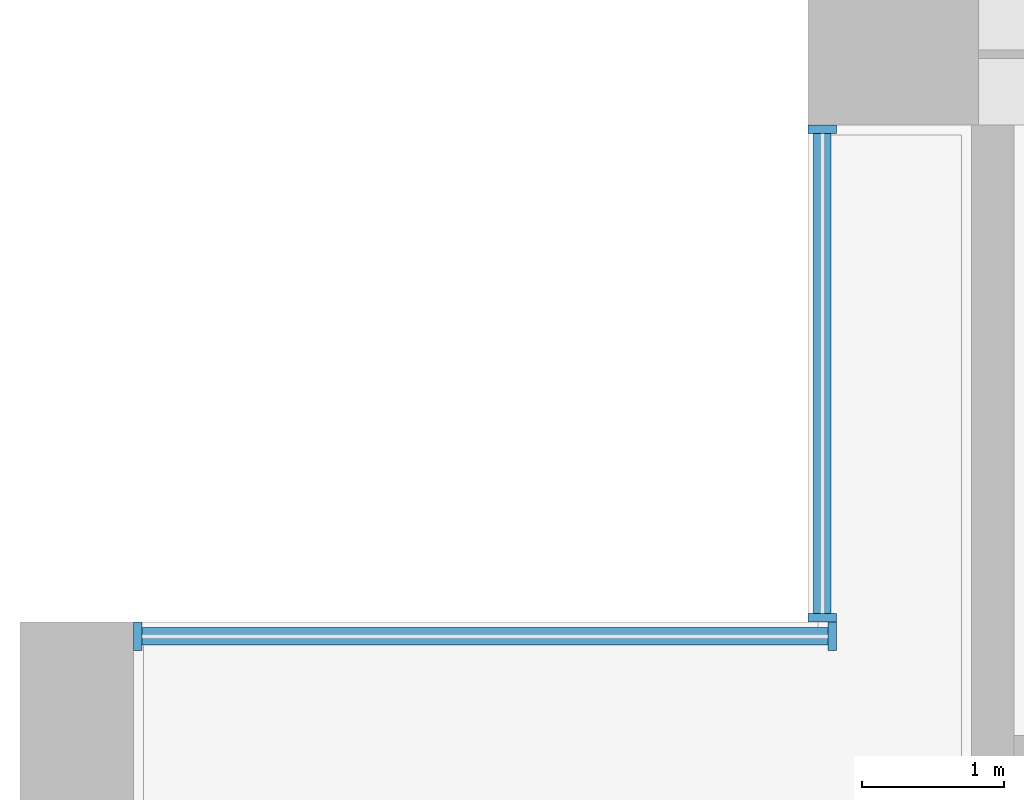
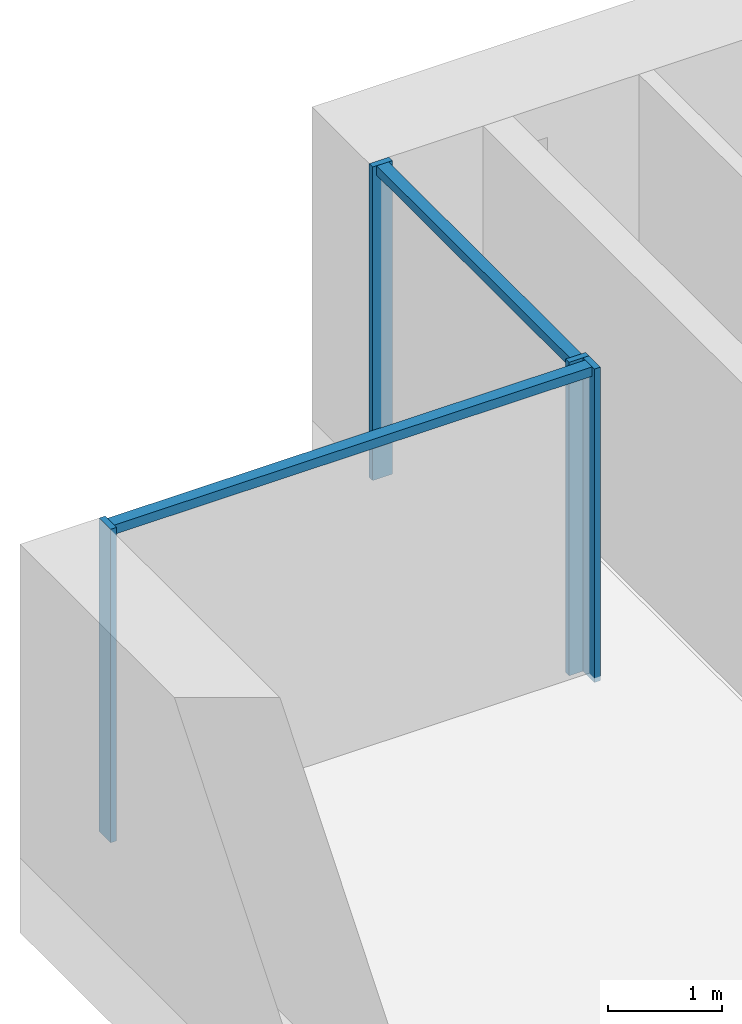
# One storey, part 4 of 18: 6 members, 2 elements without a shape of their own.
"""IFC4 building model written with IfcOpenShell, lengths in metres."""

from ifc_helpers import new_model, si_unit, direction, frame, origin, origin_2d, place, context, subcontext, project, spatial, rectangle, extrude, material, material_profile, profile_set, type_object, element, aggregate, save


model = new_model("IFC4")

# Units and contexts
model_context = context("Model", 3, precision=1e-05, world=origin(), true_north=direction((0.0, 1.0)))
body_context = subcontext(model_context, "Body", "Model", "MODEL_VIEW")
ifc_project = project(units=[si_unit("LENGTHUNIT", "METRE"), si_unit("AREAUNIT", "SQUARE_METRE"), si_unit("VOLUMEUNIT", "CUBIC_METRE"), si_unit("PLANEANGLEUNIT", "RADIAN"), si_unit("MASSUNIT", "GRAM", prefix="KILO")], contexts=[model_context])

# Site, building, storey
site_placement = place(None, origin())
site = spatial("IfcSite", under=ifc_project, at=site_placement, CompositionType="ELEMENT")
building_placement = place(site_placement, origin())
building = spatial("IfcBuilding", under=site, at=building_placement, Name="Calvaro Tower", CompositionType="ELEMENT")
storey_placement = place(building_placement, frame((0.0, 0.0, 22.5)))
storey = spatial("IfcBuildingStorey", under=building, at=storey_placement, Name="L04", CompositionType="ELEMENT", Elevation=22.5)

# Curtain wall, members
ifc_material_1 = material(Name="Anodised aluminium", Category="aluminium")
curtain_wall_type = type_object("IfcCurtainWallType", Name="Office curtain wall, lower zone", PredefinedType="NOTDEFINED", material=ifc_material_1)
curtain_wall_1_placement = place(storey_placement, origin())
curtain_wall_1 = element("IfcCurtainWall", 1, at=curtain_wall_1_placement, inside=storey, type_object=curtain_wall_type, Name="CW1 corner curtain wall", PredefinedType="NOTDEFINED")
ifc_material_2 = material(Name="Anodised aluminium", Category="aluminium")
ifc_material_profile_1 = material_profile(ifc_material_2, rectangle(XDim=0.199951171875, YDim=0.06005859375, at=origin_2d()), Name="Mullion S1 60 x 200")
ifc_profile_set_1 = profile_set([ifc_material_profile_1], Name="Anodised aluminium")
member_type_1 = type_object("IfcMemberType", Name="Mullion S1 60 x 200", PredefinedType="MULLION", material=ifc_profile_set_1)
member_1_placement = place(storey_placement, frame((5.64990234375, 41.530029296875, 0.0), z_axis=(0.0, 0.0, 1.0), x_axis=(-1.0, 0.0, 0.0)))
member_1 = element("IfcMember", 2, at=member_1_placement, type_object=member_type_1, Name="CW1 mullion 1", PredefinedType="MULLION", context=body_context, shape_type="SweptSolid", body=[
    extrude(rectangle(XDim=0.199951171875, YDim=0.06005859375, at=origin_2d()), origin(), (0.0, 0.0, 1.0), 3.35009765625),
])
member_2_placement = place(storey_placement, frame((5.64990234375, 44.969970703125, 0.0), z_axis=(0.0, 0.0, 1.0), x_axis=(-1.0, 0.0, 0.0)))
member_2 = element("IfcMember", 3, at=member_2_placement, type_object=member_type_1, Name="CW1 mullion 2", PredefinedType="MULLION", context=body_context, shape_type="SweptSolid", body=[
    extrude(rectangle(XDim=0.199951171875, YDim=0.06005859375, at=origin_2d()), origin(), (0.0, 0.0, 1.0), 3.35009765625),
])

curtain_wall_2_placement = place(storey_placement, origin())
curtain_wall_2 = element("IfcCurtainWall", 4, at=curtain_wall_2_placement, inside=storey, type_object=curtain_wall_type, Name="CW1 corner curtain wall", PredefinedType="NOTDEFINED")
member_3_placement = place(storey_placement, frame((0.830078125, 41.39990234375, 0.0), z_axis=(0.0, 0.0, 1.0), x_axis=(0.0, 1.0, 0.0)))
member_3 = element("IfcMember", 5, at=member_3_placement, type_object=member_type_1, Name="CW1 mullion 1", PredefinedType="MULLION", context=body_context, shape_type="SweptSolid", body=[
    extrude(rectangle(XDim=0.199951171875, YDim=0.06005859375, at=origin_2d()), origin(), (0.0, 0.0, 1.0), 3.35009765625),
])
member_4_placement = place(storey_placement, frame((5.719970703125, 41.39990234375, 0.0), z_axis=(0.0, 0.0, 1.0), x_axis=(0.0, 1.0, 0.0)))
member_4 = element("IfcMember", 6, at=member_4_placement, type_object=member_type_1, Name="CW1 mullion 2", PredefinedType="MULLION", context=body_context, shape_type="SweptSolid", body=[
    extrude(rectangle(XDim=0.199951171875, YDim=0.06005859375, at=origin_2d()), origin(), (0.0, 0.0, 1.0), 3.35009765625),
])

# Member
ifc_material_3 = material(Name="Anodised aluminium", Category="aluminium")
ifc_material_profile_2 = material_profile(ifc_material_3, rectangle(XDim=0.1201171875, YDim=0.10009765625, at=origin_2d()), Name="Transom S1 100 x 120")
ifc_profile_set_2 = profile_set([ifc_material_profile_2], Name="Anodised aluminium")
member_type_2 = type_object("IfcMemberType", Name="Transom S1 100 x 120", PredefinedType="USERDEFINED", material=ifc_profile_set_2)
member_5_placement = place(storey_placement, frame((5.64990234375, 41.56005859375, 3.300048828125), z_axis=(0.0, 1.0, 0.0), x_axis=(-1.0, 0.0, 0.0)))
member_5 = element("IfcMember", 7, at=member_5_placement, type_object=member_type_2, Name="CW1 transom 1.1", ObjectType="TRANSOM", PredefinedType="USERDEFINED", context=body_context, shape_type="SweptSolid", body=[
    extrude(rectangle(XDim=0.1201171875, YDim=0.10009765625, at=origin_2d()), origin(), (0.0, 0.0, 1.0), 3.3798828125),
])

aggregate(curtain_wall_1, [member_1, member_2, member_5])

member_6_placement = place(storey_placement, frame((0.860107421875, 41.39990234375, 3.300048828125), z_axis=(1.0, 0.0, 0.0), x_axis=(0.0, 1.0, 0.0)))
member_6 = element("IfcMember", 8, at=member_6_placement, type_object=member_type_2, Name="CW1 transom 1.1", ObjectType="TRANSOM", PredefinedType="USERDEFINED", context=body_context, shape_type="SweptSolid", body=[
    extrude(rectangle(XDim=0.1201171875, YDim=0.10009765625, at=origin_2d()), origin(), (0.0, 0.0, 1.0), 4.829833984375),
])

aggregate(curtain_wall_2, [member_3, member_4, member_6])

save(model, "model.ifc")
